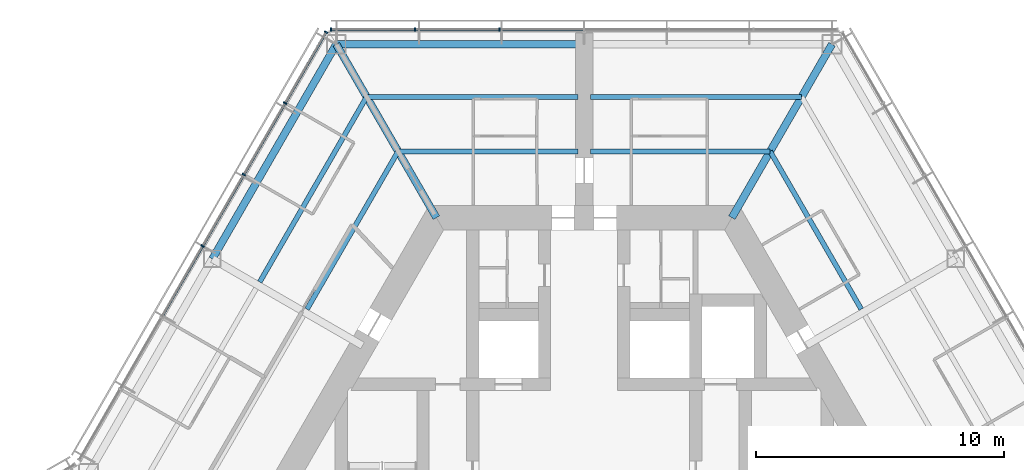
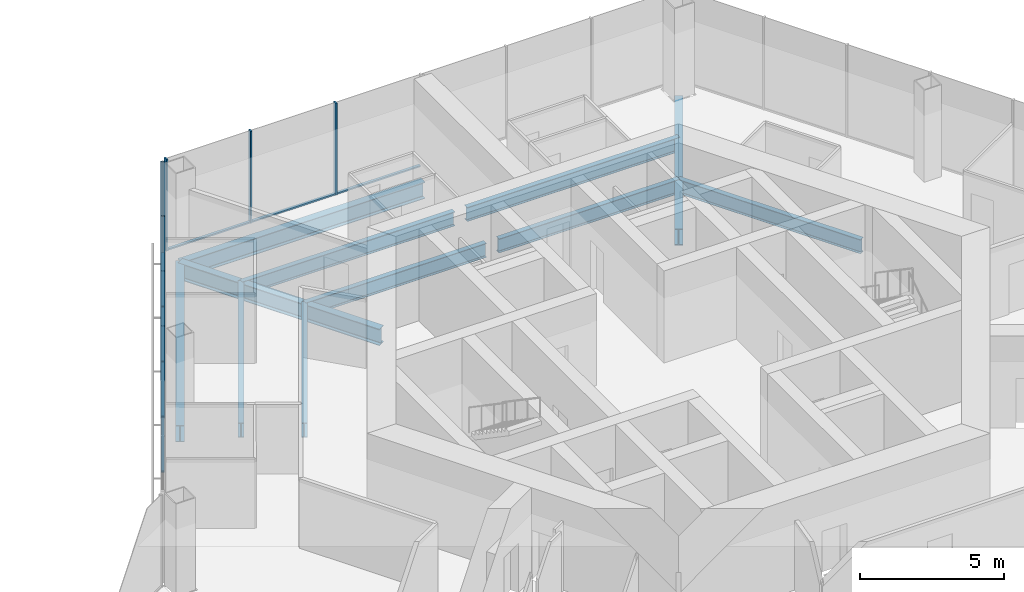
# One storey, part 7 of 18: 14 members, 11 beams, 2 elements without a shape of their own.
"""IFC4 building model written with IfcOpenShell, lengths in metres."""

from ifc_helpers import new_model, si_unit, direction, frame, origin, origin_2d, place, context, subcontext, project, spatial, rectangle, i_section, extrude, material, material_profile, profile_set, type_object, element, aggregate, save


model = new_model("IFC4")

# Units and contexts
model_context = context("Model", 3, precision=1e-05, world=origin(), true_north=direction((0.0, 1.0)))
body_context = subcontext(model_context, "Body", "Model", "MODEL_VIEW")
ifc_project = project(units=[si_unit("LENGTHUNIT", "METRE"), si_unit("AREAUNIT", "SQUARE_METRE"), si_unit("VOLUMEUNIT", "CUBIC_METRE"), si_unit("PLANEANGLEUNIT", "RADIAN"), si_unit("MASSUNIT", "GRAM", prefix="KILO")], contexts=[model_context])

# Site, building, storey
site_placement = place(None, origin())
site = spatial("IfcSite", under=ifc_project, at=site_placement, CompositionType="ELEMENT")
building_placement = place(site_placement, origin())
building = spatial("IfcBuilding", under=site, at=building_placement, Name="Kasaneha Research Tower", CompositionType="ELEMENT")
storey_placement = place(building_placement, frame((0.0, 0.0, 137.0)))
storey = spatial("IfcBuildingStorey", under=building, at=storey_placement, Name="L34", CompositionType="ELEMENT", Elevation=137.0)

# Beams
ifc_material_1 = material(Name="Steel SN490B", Category="steel")
ifc_material_profile_1 = material_profile(ifc_material_1, i_section(OverallWidth=0.199951171875, OverallDepth=0.60009765625, WebThickness=0.010986328125, FlangeThickness=0.01708984375, FilletRadius=0.012939453125, at=origin_2d()), Name="H-600x200x11x17")
ifc_profile_set_1 = profile_set([ifc_material_profile_1], Name="Steel SN490B")
beam_type_1 = type_object("IfcBeamType", Name="B1-3 secondary beam H-600x200x11x17", PredefinedType="JOIST", material=ifc_profile_set_1)
beam_1_placement = place(storey_placement, frame((7.505615234375, 13.0, -0.449951171875), z_axis=(0.499994443168, -0.866028611999, 0.0), x_axis=(0.866028611999, 0.499994443168, 0.0)))
element("IfcBeam", 1, at=beam_1_placement, inside=storey, type_object=beam_type_1, Name="Secondary beam RS030R1 L34", PredefinedType="JOIST", context=body_context, shape_type="SweptSolid", body=[
    extrude(i_section(OverallWidth=0.199951171875, OverallDepth=0.60009765625, WebThickness=0.010986328125, FlangeThickness=0.01708984375, FilletRadius=0.012939453125, at=origin_2d()), origin(), (0.0, 0.0, 1.0), 7.35546875),
])
beam_2_placement = place(storey_placement, frame((7.505615234375, 13.0, -0.449951171875), z_axis=(-1.0, 0.0, 0.0), x_axis=(0.0, -1.0, 0.0)))
element("IfcBeam", 2, at=beam_2_placement, inside=storey, type_object=beam_type_1, Name="Secondary beam RS090L1 L34", PredefinedType="JOIST", context=body_context, shape_type="SweptSolid", body=[
    extrude(i_section(OverallWidth=0.199951171875, OverallDepth=0.60009765625, WebThickness=0.010986328125, FlangeThickness=0.01708984375, FilletRadius=0.012939453125, at=origin_2d()), origin(), (0.0, 0.0, 1.0), 7.255615234375),
])
beam_3_placement = place(storey_placement, frame((8.775634765625, 15.199951171875, -0.449951171875), z_axis=(-1.0, 0.0, 0.0), x_axis=(0.0, -1.0, 0.0)))
element("IfcBeam", 3, at=beam_3_placement, inside=storey, type_object=beam_type_1, Name="Secondary beam RS090L2 L34", PredefinedType="JOIST", context=body_context, shape_type="SweptSolid", body=[
    extrude(i_section(OverallWidth=0.199951171875, OverallDepth=0.60009765625, WebThickness=0.010986328125, FlangeThickness=0.01708984375, FilletRadius=0.012939453125, at=origin_2d()), origin(), (0.0, 0.0, 1.0), 8.525634765625),
])
beam_4_placement = place(storey_placement, frame((-7.505615234375, 13.0, -0.449951171875), z_axis=(1.0, 0.0, 0.0), x_axis=(0.0, 1.0, 0.0)))
element("IfcBeam", 4, at=beam_4_placement, inside=storey, type_object=beam_type_1, Name="Secondary beam RS090R1 L34", PredefinedType="JOIST", context=body_context, shape_type="SweptSolid", body=[
    extrude(i_section(OverallWidth=0.199951171875, OverallDepth=0.60009765625, WebThickness=0.010986328125, FlangeThickness=0.01708984375, FilletRadius=0.012939453125, at=origin_2d()), origin(), (0.0, 0.0, 1.0), 7.255615234375),
])
beam_5_placement = place(storey_placement, frame((-8.775634765625, 15.199951171875, -0.449951171875), z_axis=(1.0, 0.0, 0.0), x_axis=(0.0, 1.0, 0.0)))
element("IfcBeam", 5, at=beam_5_placement, inside=storey, type_object=beam_type_1, Name="Secondary beam RS090R2 L34", PredefinedType="JOIST", context=body_context, shape_type="SweptSolid", body=[
    extrude(i_section(OverallWidth=0.199951171875, OverallDepth=0.60009765625, WebThickness=0.010986328125, FlangeThickness=0.01708984375, FilletRadius=0.012939453125, at=origin_2d()), origin(), (0.0, 0.0, 1.0), 8.525634765625),
])
beam_6_placement = place(storey_placement, frame((-7.505615234375, 13.0, -0.449951171875), z_axis=(-0.499994443168, -0.866028611999, 0.0), x_axis=(0.866028611999, -0.499994443168, 0.0)))
element("IfcBeam", 6, at=beam_6_placement, inside=storey, type_object=beam_type_1, Name="Secondary beam RS150L1 L34", PredefinedType="JOIST", context=body_context, shape_type="SweptSolid", body=[
    extrude(i_section(OverallWidth=0.199951171875, OverallDepth=0.60009765625, WebThickness=0.010986328125, FlangeThickness=0.01708984375, FilletRadius=0.012939453125, at=origin_2d()), origin(), (0.0, 0.0, 1.0), 7.35546875),
])
beam_7_placement = place(storey_placement, frame((-8.775634765625, 15.199951171875, -0.449951171875), z_axis=(-0.500017275495, -0.866015429543, 0.0), x_axis=(0.866015429543, -0.500017275495, 0.0)))
element("IfcBeam", 7, at=beam_7_placement, inside=storey, type_object=beam_type_1, Name="Secondary beam RS150L2 L34", PredefinedType="JOIST", context=body_context, shape_type="SweptSolid", body=[
    extrude(i_section(OverallWidth=0.199951171875, OverallDepth=0.60009765625, WebThickness=0.010986328125, FlangeThickness=0.01708984375, FilletRadius=0.012939453125, at=origin_2d()), origin(), (0.0, 0.0, 1.0), 8.625732421875),
])

# Curtain wall, members
ifc_material_2 = material(Name="Glass and aluminium", Category="aluminium")
curtain_wall_type = type_object("IfcCurtainWallType", Name="Mid-rise office curtain wall", PredefinedType="USERDEFINED", material=ifc_material_2)
curtain_wall_1_placement = place(storey_placement, origin())
curtain_wall_1 = element("IfcCurtainWall", 8, at=curtain_wall_1_placement, inside=storey, type_object=curtain_wall_type, Name="CW-O2 L34 run 07a", ObjectType="UNITISED CURTAIN WALL", PredefinedType="USERDEFINED")
ifc_material_3 = material(Name="Aluminium 6063-T6", Category="aluminium")
ifc_material_profile_2 = material_profile(ifc_material_3, rectangle(XDim=0.06005859375, YDim=0.14990234375, at=origin_2d()), Name="CW-O2 mullion 60x150")
ifc_profile_set_2 = profile_set([ifc_material_profile_2], Name="Aluminium 6063-T6")
member_type_1 = type_object("IfcMemberType", Name="CW-O2 mullion", PredefinedType="MULLION", material=ifc_profile_set_2)
member_1_placement = place(storey_placement, frame((-3.41552734375, 17.92041015625, 0.0), z_axis=(0.0, 0.0, 1.0), x_axis=(-1.0, 0.0, 0.0)))
member_1 = element("IfcMember", 9, at=member_1_placement, type_object=member_type_1, Name="CW-O2 mullion 5", PredefinedType="MULLION", context=body_context, shape_type="SweptSolid", body=[
    extrude(rectangle(XDim=0.06005859375, YDim=0.14990234375, at=origin_2d()), origin(), (0.0, 0.0, 1.0), 3.89990234375),
])
member_2_placement = place(storey_placement, frame((-6.8310546875, 17.92041015625, 0.0), z_axis=(0.0, 0.0, 1.0), x_axis=(-1.0, 0.0, 0.0)))
member_2 = element("IfcMember", 10, at=member_2_placement, type_object=member_type_1, Name="CW-O2 mullion 6", PredefinedType="MULLION", context=body_context, shape_type="SweptSolid", body=[
    extrude(rectangle(XDim=0.06005859375, YDim=0.14990234375, at=origin_2d()), origin(), (0.0, 0.0, 1.0), 3.89990234375),
])
member_3_placement = place(storey_placement, frame((-10.21630859375, 17.92041015625, 0.0), z_axis=(0.0, 0.0, 1.0), x_axis=(-1.0, 0.0, 0.0)))
member_3 = element("IfcMember", 11, at=member_3_placement, type_object=member_type_1, Name="CW-O2 mullion 7", PredefinedType="MULLION", context=body_context, shape_type="SweptSolid", body=[
    extrude(rectangle(XDim=0.06005859375, YDim=0.14990234375, at=origin_2d()), origin(), (0.0, 0.0, 1.0), 3.89990234375),
])

curtain_wall_2_placement = place(storey_placement, origin())
curtain_wall_2 = element("IfcCurtainWall", 12, at=curtain_wall_2_placement, inside=storey, type_object=curtain_wall_type, Name="CW-O2 L34 run 08a", ObjectType="UNITISED CURTAIN WALL", PredefinedType="USERDEFINED")
member_4_placement = place(storey_placement, frame((-10.411376953125, 17.807861328125, 0.0), z_axis=(0.0, 0.0, 1.0), x_axis=(-0.499999979232, -0.866025415775, 0.0)))
member_4 = element("IfcMember", 13, at=member_4_placement, type_object=member_type_1, Name="CW-O2 mullion 1", PredefinedType="MULLION", context=body_context, shape_type="SweptSolid", body=[
    extrude(rectangle(XDim=0.06005859375, YDim=0.14990234375, at=origin_2d()), origin(), (0.0, 0.0, 1.0), 3.89990234375),
])
member_5_placement = place(storey_placement, frame((-12.061767578125, 14.94921875, 0.0), z_axis=(0.0, 0.0, 1.0), x_axis=(-0.499999979232, -0.866025415775, 0.0)))
member_5 = element("IfcMember", 14, at=member_5_placement, type_object=member_type_1, Name="CW-O2 mullion 2", PredefinedType="MULLION", context=body_context, shape_type="SweptSolid", body=[
    extrude(rectangle(XDim=0.06005859375, YDim=0.14990234375, at=origin_2d()), origin(), (0.0, 0.0, 1.0), 3.89990234375),
])
member_6_placement = place(storey_placement, frame((-13.727294921875, 12.064453125, 0.0), z_axis=(0.0, 0.0, 1.0), x_axis=(-0.499999979232, -0.866025415775, 0.0)))
member_6 = element("IfcMember", 15, at=member_6_placement, type_object=member_type_1, Name="CW-O2 mullion 3", PredefinedType="MULLION", context=body_context, shape_type="SweptSolid", body=[
    extrude(rectangle(XDim=0.06005859375, YDim=0.14990234375, at=origin_2d()), origin(), (0.0, 0.0, 1.0), 3.89990234375),
])
member_7_placement = place(storey_placement, frame((-15.392822265625, 9.179931640625, 0.0), z_axis=(0.0, 0.0, 1.0), x_axis=(-0.499999979232, -0.866025415775, 0.0)))
member_7 = element("IfcMember", 16, at=member_7_placement, type_object=member_type_1, Name="CW-O2 mullion 4", PredefinedType="MULLION", context=body_context, shape_type="SweptSolid", body=[
    extrude(rectangle(XDim=0.06005859375, YDim=0.14990234375, at=origin_2d()), origin(), (0.0, 0.0, 1.0), 3.89990234375),
])

# Member
ifc_material_4 = material(Name="Aluminium 6063-T6", Category="aluminium")
ifc_material_profile_3 = material_profile(ifc_material_4, rectangle(XDim=0.110107421875, YDim=0.06005859375, at=origin_2d()), Name="CW-O2 transom 110x60")
ifc_profile_set_3 = profile_set([ifc_material_profile_3], Name="Aluminium 6063-T6")
member_type_2 = type_object("IfcMemberType", Name="CW-O2 transom", PredefinedType="USERDEFINED", material=ifc_profile_set_3)
member_8_placement = place(storey_placement, frame((-0.030029296875, 17.92041015625, 0.030029296875), z_axis=(-1.0, 0.0, 0.0), x_axis=(0.0, -1.0, 0.0)))
member_8 = element("IfcMember", 17, at=member_8_placement, type_object=member_type_2, Name="CW-O2 transom 4", ObjectType="TRANSOM", PredefinedType="USERDEFINED", context=body_context, shape_type="SweptSolid", body=[
    extrude(rectangle(XDim=0.110107421875, YDim=0.06005859375, at=origin_2d()), origin(), (0.0, 0.0, 1.0), 3.35546875),
])

member_9_placement = place(storey_placement, frame((-3.445556640625, 17.92041015625, 0.030029296875), z_axis=(-1.0, 0.0, 0.0), x_axis=(0.0, -1.0, 0.0)))
member_9 = element("IfcMember", 18, at=member_9_placement, type_object=member_type_2, Name="CW-O2 transom 5", ObjectType="TRANSOM", PredefinedType="USERDEFINED", context=body_context, shape_type="SweptSolid", body=[
    extrude(rectangle(XDim=0.110107421875, YDim=0.06005859375, at=origin_2d()), origin(), (0.0, 0.0, 1.0), 3.35546875),
])

member_10_placement = place(storey_placement, frame((-6.86083984375, 17.92041015625, 0.030029296875), z_axis=(-1.0, 0.0, 0.0), x_axis=(0.0, -1.0, 0.0)))
member_10 = element("IfcMember", 19, at=member_10_placement, type_object=member_type_2, Name="CW-O2 transom 6", ObjectType="TRANSOM", PredefinedType="USERDEFINED", context=body_context, shape_type="SweptSolid", body=[
    extrude(rectangle(XDim=0.110107421875, YDim=0.06005859375, at=origin_2d()), origin(), (0.0, 0.0, 1.0), 3.32568359375),
])

aggregate(curtain_wall_1, [member_1, member_2, member_3, member_8, member_9, member_10])

member_11_placement = place(storey_placement, frame((-10.426513671875, 17.781982421875, 0.030029296875), z_axis=(-0.499955025697, -0.866051368154, 0.0), x_axis=(0.866051368154, -0.499955025697, 0.0)))
member_11 = element("IfcMember", 20, at=member_11_placement, type_object=member_type_2, Name="CW-O2 transom 1", ObjectType="TRANSOM", PredefinedType="USERDEFINED", context=body_context, shape_type="SweptSolid", body=[
    extrude(rectangle(XDim=0.110107421875, YDim=0.06005859375, at=origin_2d()), origin(), (0.0, 0.0, 1.0), 3.240966796875),
])

member_12_placement = place(storey_placement, frame((-12.076904296875, 14.92333984375, 0.030029296875), z_axis=(-0.500000270186, -0.866025247793, 0.0), x_axis=(0.866025247793, -0.500000270186, 0.0)))
member_12 = element("IfcMember", 21, at=member_12_placement, type_object=member_type_2, Name="CW-O2 transom 2", ObjectType="TRANSOM", PredefinedType="USERDEFINED", context=body_context, shape_type="SweptSolid", body=[
    extrude(rectangle(XDim=0.110107421875, YDim=0.06005859375, at=origin_2d()), origin(), (0.0, 0.0, 1.0), 3.27099609375),
])

member_13_placement = place(storey_placement, frame((-13.742431640625, 12.03857421875, 0.030029296875), z_axis=(-0.500000270186, -0.866025247793, 0.0), x_axis=(0.866025247793, -0.500000270186, 0.0)))
member_13 = element("IfcMember", 22, at=member_13_placement, type_object=member_type_2, Name="CW-O2 transom 3", ObjectType="TRANSOM", PredefinedType="USERDEFINED", context=body_context, shape_type="SweptSolid", body=[
    extrude(rectangle(XDim=0.110107421875, YDim=0.06005859375, at=origin_2d()), origin(), (0.0, 0.0, 1.0), 3.27099609375),
])

member_14_placement = place(storey_placement, frame((-15.40771484375, 9.15380859375, 0.030029296875), z_axis=(-0.50003259116, -0.866006586452, 0.0), x_axis=(0.866006586452, -0.50003259116, 0.0)))
member_14 = element("IfcMember", 23, at=member_14_placement, type_object=member_type_2, Name="CW-O2 transom 4", ObjectType="TRANSOM", PredefinedType="USERDEFINED", context=body_context, shape_type="SweptSolid", body=[
    extrude(rectangle(XDim=0.110107421875, YDim=0.06005859375, at=origin_2d()), origin(), (0.0, 0.0, 1.0), 3.270751953125),
])

aggregate(curtain_wall_2, [member_4, member_5, member_6, member_7, member_11, member_12, member_13, member_14])

# Beams
ifc_material_5 = material(Name="Steel SN490B", Category="steel")
ifc_material_profile_4 = material_profile(ifc_material_5, i_section(OverallWidth=0.300048828125, OverallDepth=0.699951171875, WebThickness=0.012939453125, FlangeThickness=0.02392578125, FilletRadius=0.01806640625, at=origin_2d()), Name="H-700x300x13x24")
ifc_profile_set_4 = profile_set([ifc_material_profile_4], Name="Steel SN490B")
beam_type_2 = type_object("IfcBeamType", Name="G1-3 radial girder H-700x300x13x24", PredefinedType="BEAM", material=ifc_profile_set_4)
for number, where, z_axis, x_axis, name in (
    (24, (5.961181640625, 10.324951171875, -0.5), (0.49999105496, 0.866030568144, 0.0), (-0.866030568144, 0.49999105496, 0.0), "Radial girder RV060 L34"),
    (25, (-5.961181640625, 10.324951171875, -0.5), (-0.49999105496, 0.866030568144, 0.0), (-0.866030568144, -0.49999105496, 0.0), "Radial girder RV120 L34"),
):
    element("IfcBeam", number, at=place(storey_placement, frame(where, z_axis=z_axis, x_axis=x_axis)), inside=storey, type_object=beam_type_2, Name=name, PredefinedType="BEAM", context=body_context, shape_type="SweptSolid", body=[
        extrude(i_section(OverallWidth=0.300048828125, OverallDepth=0.699951171875, WebThickness=0.012939453125, FlangeThickness=0.02392578125, FilletRadius=0.01806640625, at=origin_2d()), origin(), (0.0, 0.0, 1.0), 8.077880859375),
    ])
ifc_material_6 = material(Name="Steel SN490B", Category="steel")
ifc_material_profile_5 = material_profile(ifc_material_6, i_section(OverallWidth=0.300048828125, OverallDepth=0.69189453125, WebThickness=0.012939453125, FlangeThickness=0.02001953125, FilletRadius=0.01806640625, at=origin_2d()), Name="H-692x300x13x20")
ifc_profile_set_5 = profile_set([ifc_material_profile_5], Name="Steel SN490B")
beam_type_3 = type_object("IfcBeamType", Name="G3-3 plate edge girder H-692x300x13x20", PredefinedType="BEAM", material=ifc_profile_set_5)
beam_8_placement = place(storey_placement, frame((-10.0, 17.320556640625, -0.49609375), z_axis=(1.0, 0.0, 0.0), x_axis=(0.0, 1.0, 0.0)))
element("IfcBeam", 26, at=beam_8_placement, inside=storey, type_object=beam_type_3, Name="Plate edge girder PEAN L34", PredefinedType="BEAM", context=body_context, shape_type="SweptSolid", body=[
    extrude(i_section(OverallWidth=0.300048828125, OverallDepth=0.69189453125, WebThickness=0.012939453125, FlangeThickness=0.02001953125, FilletRadius=0.01806640625, at=origin_2d()), origin(), (0.0, 0.0, 1.0), 9.75),
])
ifc_material_7 = material(Name="Steel SN490B", Category="steel")
ifc_material_profile_6 = material_profile(ifc_material_7, i_section(OverallWidth=0.300048828125, OverallDepth=0.69189453125, WebThickness=0.012939453125, FlangeThickness=0.02001953125, FilletRadius=0.01806640625, at=origin_2d()), Name="H-692x300x13x20")
ifc_profile_set_6 = profile_set([ifc_material_profile_6], Name="Steel SN490B")
beam_type_4 = type_object("IfcBeamType", Name="SB1-3 spandrel beam H-692x300x13x20", PredefinedType="SPANDREL", material=ifc_profile_set_6)
beam_9_placement = place(storey_placement, frame((-10.0, 17.320556640625, -0.49609375), z_axis=(-0.499993662806, -0.866029062534, 0.0), x_axis=(0.866029062534, -0.499993662806, 0.0)))
element("IfcBeam", 27, at=beam_9_placement, inside=storey, type_object=beam_type_4, Name="Spandrel beam SR150L L34", PredefinedType="SPANDREL", context=body_context, shape_type="SweptSolid", body=[
    extrude(i_section(OverallWidth=0.300048828125, OverallDepth=0.69189453125, WebThickness=0.012939453125, FlangeThickness=0.02001953125, FilletRadius=0.01806640625, at=origin_2d()), origin(), (0.0, 0.0, 1.0), 10.000244140625),
])

save(model, "model.ifc")
